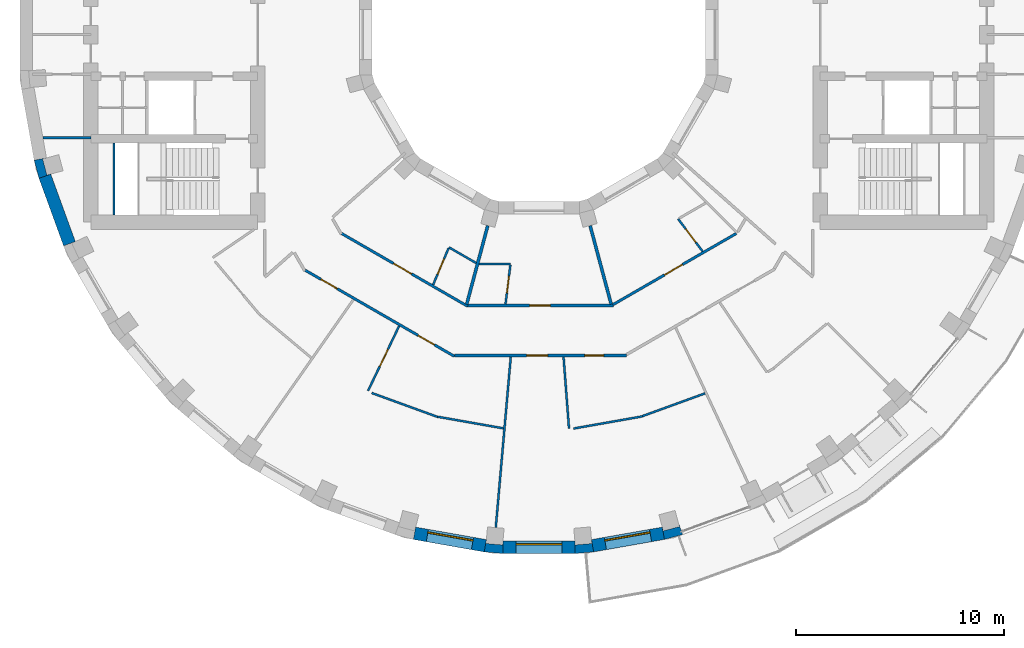
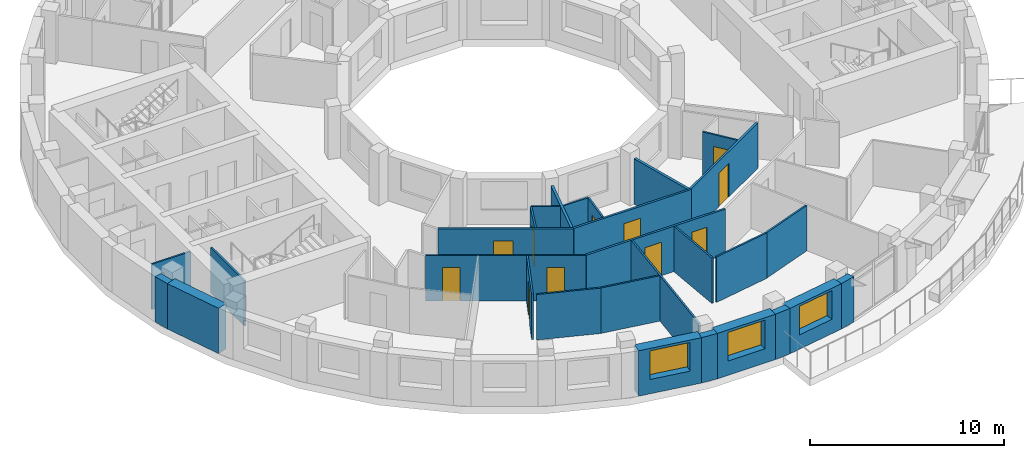
# One storey, part 6 of 15: 29 walls, 11 doors, 3 windows, 14 openings.
"""IFC4 building model written with IfcOpenShell, lengths in metres."""

from ifc_helpers import new_model, si_unit, direction, frame, frame_2d, origin, place, context, subcontext, project, spatial, polyline, rectangle, outline, extrude, material, layer, layer_set, type_object, element, fill, save


model = new_model("IFC4")

# Units and contexts
model_context = context("Model", 3, precision=1e-05, world=origin(), true_north=direction((0.0, 1.0)))
body_context = subcontext(model_context, "Body", "Model", "MODEL_VIEW")
ifc_project = project(units=[si_unit("LENGTHUNIT", "METRE"), si_unit("AREAUNIT", "SQUARE_METRE"), si_unit("VOLUMEUNIT", "CUBIC_METRE"), si_unit("PLANEANGLEUNIT", "RADIAN"), si_unit("MASSUNIT", "GRAM", prefix="KILO")], contexts=[model_context])

# Site, building, storey
site_placement = place(None, origin())
site = spatial("IfcSite", under=ifc_project, at=site_placement, CompositionType="ELEMENT")
building_placement = place(site_placement, origin())
building = spatial("IfcBuilding", under=site, at=building_placement, Name="Saqina Gate Tower", CompositionType="ELEMENT")
storey_placement = place(building_placement, frame((0.0, 0.0, 160.800048828125)))
storey = spatial("IfcBuildingStorey", under=building, at=storey_placement, Name="L45", CompositionType="ELEMENT", Elevation=160.800048828125)

# Walls
ifc_material_1 = material(Name="Brick masonry (buff)", Category="masonry")
wall_type_1 = type_object("IfcWallType", Name="BRICK PIER COPING BUFF", PredefinedType="SOLIDWALL", material=ifc_material_1)
wall_1_placement = place(storey_placement, origin())
element("IfcWall", 1, at=wall_1_placement, inside=storey, type_object=wall_type_1, Name="Pier cap L45 column 20", PredefinedType="SOLIDWALL", context=body_context, shape_type="SweptSolid", body=[
    extrude(outline(polyline([(-24.22705078125, -6.0234375), (-23.992919921875, -6.897216796875), (-23.428955078125, -6.69189453125), (-23.610107421875, -6.740478515625), (-23.81689453125, -5.967529296875), (-23.635986328125, -5.919189453125), (-24.22705078125, -6.0234375)])), origin(), (0.0, 0.0, 1.0), 2.849853515625),
])
wall_2_placement = place(storey_placement, origin())
element("IfcWall", 2, at=wall_2_placement, inside=storey, type_object=wall_type_1, Name="Pier cap L45 column 27", PredefinedType="SOLIDWALL", context=body_context, shape_type="SweptSolid", body=[
    extrude(outline(polyline([(-2.6259765625, -24.825927734375), (-1.724853515625, -24.90478515625), (-1.724853515625, -24.304931640625), (-1.7412109375, -24.491455078125), (-2.5380859375, -24.421630859375), (-2.521728515625, -24.235107421875), (-2.6259765625, -24.825927734375)])), origin(), (0.0, 0.0, 1.0), 2.849853515625),
])
wall_3_placement = place(storey_placement, origin())
element("IfcWall", 3, at=wall_3_placement, inside=storey, type_object=wall_type_1, Name="Pier cap L45 column 28", PredefinedType="SOLIDWALL", context=body_context, shape_type="SweptSolid", body=[
    extrude(outline(polyline([(1.724853515625, -24.90478515625), (2.6259765625, -24.825927734375), (2.521728515625, -24.235107421875), (2.5380859375, -24.421630859375), (1.7412109375, -24.491455078125), (1.724853515625, -24.304931640625), (1.724853515625, -24.90478515625)])), origin(), (0.0, 0.0, 1.0), 2.849853515625),
])
wall_4_placement = place(storey_placement, origin())
element("IfcWall", 4, at=wall_4_placement, inside=storey, type_object=wall_type_1, Name="Pier cap L45 column 29", PredefinedType="SOLIDWALL", context=body_context, shape_type="SweptSolid", body=[
    extrude(outline(polyline([(6.0234375, -24.22705078125), (6.897216796875, -23.992919921875), (6.69189453125, -23.428955078125), (6.740478515625, -23.610107421875), (5.967529296875, -23.81689453125), (5.919189453125, -23.635986328125), (6.0234375, -24.22705078125)])), origin(), (0.0, 0.0, 1.0), 2.849853515625),
])
ifc_material_2 = material(Name="Gypsum board on steel studs", Category="steel")
ifc_layer_1 = layer(ifc_material_2, 0.10009765625)
ifc_layer_set_1 = layer_set([ifc_layer_1], Name="CORE PARTITION")
wall_type_2 = type_object("IfcWallType", Name="CORE PARTITION", PredefinedType="PARTITIONING", material=ifc_layer_set_1)
wall_5_placement = place(storey_placement, frame((-21.5, -4.949951171875, 0.0), z_axis=(0.0, 0.0, 1.0), x_axis=(-1.0, 0.0, 0.0)))
element("IfcWall", 5, at=wall_5_placement, inside=storey, type_object=wall_type_2, Name="L45-CP-W03", PredefinedType="PARTITIONING", context=body_context, shape_type="SweptSolid", body=[
    extrude(rectangle(XDim=2.306884765625, YDim=0.10009765625, at=frame_2d((1.1533203125, 0.0))), origin(), (0.0, 0.0, 1.0), 2.849853515625),
])

# Wall, opening, window
ifc_material_3 = material(Name="Brick masonry (buff)", Category="masonry")
ifc_layer_2 = layer(ifc_material_3, 0.60009765625)
ifc_layer_set_2 = layer_set([ifc_layer_2], Name="FW-BRICK-BUFF")
wall_type_3 = type_object("IfcWallType", Name="FW-BRICK-BUFF", PredefinedType="SOLIDWALL", material=ifc_layer_set_2)
wall_6_placement = place(storey_placement, frame((-5.97119140625, -23.931640625, 0.0), z_axis=(0.0, 0.0, 1.0), x_axis=(0.984814892183, -0.173607684551, 0.0)))
wall_6 = element("IfcWall", 6, at=wall_6_placement, inside=storey, type_object=wall_type_3, Name="Facade wall L45 facet 26", PredefinedType="SOLIDWALL", context=body_context, shape_type="SweptSolid", body=[
    extrude(rectangle(XDim=3.44970703125, YDim=0.60009765625, at=frame_2d((1.724853515625, 0.0))), origin(), (0.0, 0.0, 1.0), 2.849853515625),
])
opening_1_placement = place(wall_6_placement, frame((0.625, 0.0, 0.89990234375)))
opening_1 = element("IfcOpeningElement", 7, at=opening_1_placement, cuts=wall_6, Name="Opening G13-W19", PredefinedType="OPENING", context=body_context, shape_type="SweptSolid", body=[
    extrude(rectangle(XDim=2.199951171875, YDim=1.800048828125, at=frame_2d((1.10009765625, 0.89990234375))), frame((0.0, 0.31201171875, 0.0), z_axis=(0.0, -1.0, 0.0), x_axis=(1.0, 0.0, 0.0)), (0.0, 0.0, 1.0), 0.6240234375),
])
ifc_material_4 = material(Name="Aluminium glazing", Category="aluminium")
window_type = type_object("IfcWindowType", Name="WN-C", PartitioningType="SINGLE_PANEL", PredefinedType="WINDOW", material=ifc_material_4)
window_1_placement = place(opening_1_placement, origin())
window_1 = element("IfcWindow", 8, at=window_1_placement, inside=storey, type_object=window_type, Name="Window L45 facet 26", OverallHeight=1.800048828125, OverallWidth=2.199951171875, PartitioningType="SINGLE_PANEL", PredefinedType="WINDOW", context=body_context, shape_type="SweptSolid", body=[
    extrude(rectangle(XDim=2.199951171875, YDim=1.800048828125, at=frame_2d((1.10009765625, 0.89990234375))), frame((0.0, 0.179931640625, 0.0), z_axis=(0.0, -1.0, 0.0), x_axis=(1.0, 0.0, 0.0)), (0.0, 0.0, 1.0), 0.06005859375),
])
fill(opening_1, window_1)

wall_7_placement = place(storey_placement, frame((-1.724853515625, -24.60498046875, 0.0), z_axis=(0.0, 0.0, 1.0), x_axis=(1.0, 0.0, 0.0)))
wall_7 = element("IfcWall", 9, at=wall_7_placement, inside=storey, type_object=wall_type_3, Name="Facade wall L45 facet 27", PredefinedType="SOLIDWALL", context=body_context, shape_type="SweptSolid", body=[
    extrude(rectangle(XDim=3.44970703125, YDim=0.60009765625, at=frame_2d((1.724853515625, 0.0))), origin(), (0.0, 0.0, 1.0), 2.849853515625),
])
opening_2_placement = place(wall_7_placement, frame((0.625, 0.0, 0.89990234375)))
opening_2 = element("IfcOpeningElement", 10, at=opening_2_placement, cuts=wall_7, Name="Opening G13-W20", PredefinedType="OPENING", context=body_context, shape_type="SweptSolid", body=[
    extrude(rectangle(XDim=2.199951171875, YDim=1.800048828125, at=frame_2d((1.10009765625, 0.89990234375))), frame((0.0, 0.31201171875, 0.0), z_axis=(0.0, -1.0, 0.0), x_axis=(1.0, 0.0, 0.0)), (0.0, 0.0, 1.0), 0.6240234375),
])
window_2_placement = place(opening_2_placement, origin())
window_2 = element("IfcWindow", 11, at=window_2_placement, inside=storey, type_object=window_type, Name="Window L45 facet 27", OverallHeight=1.800048828125, OverallWidth=2.199951171875, PartitioningType="SINGLE_PANEL", PredefinedType="WINDOW", context=body_context, shape_type="SweptSolid", body=[
    extrude(rectangle(XDim=2.199951171875, YDim=1.800048828125, at=frame_2d((1.10009765625, 0.89990234375))), frame((0.0, 0.179931640625, 0.0), z_axis=(0.0, -1.0, 0.0), x_axis=(1.0, 0.0, 0.0)), (0.0, 0.0, 1.0), 0.06005859375),
])
fill(opening_2, window_2)

wall_8_placement = place(storey_placement, frame((2.573974609375, -24.530517578125, 0.0), z_axis=(0.0, 0.0, 1.0), x_axis=(0.984814892183, 0.173607684551, 0.0)))
wall_8 = element("IfcWall", 12, at=wall_8_placement, inside=storey, type_object=wall_type_3, Name="Facade wall L45 facet 28", PredefinedType="SOLIDWALL", context=body_context, shape_type="SweptSolid", body=[
    extrude(rectangle(XDim=3.44970703125, YDim=0.60009765625, at=frame_2d((1.724853515625, 0.0))), origin(), (0.0, 0.0, 1.0), 2.849853515625),
])
opening_3_placement = place(wall_8_placement, frame((0.625, 0.0, 0.89990234375)))
opening_3 = element("IfcOpeningElement", 13, at=opening_3_placement, cuts=wall_8, Name="Opening G13-W21", PredefinedType="OPENING", context=body_context, shape_type="SweptSolid", body=[
    extrude(rectangle(XDim=2.199951171875, YDim=1.800048828125, at=frame_2d((1.10009765625, 0.89990234375))), frame((0.0, 0.31201171875, 0.0), z_axis=(0.0, -1.0, 0.0), x_axis=(1.0, 0.0, 0.0)), (0.0, 0.0, 1.0), 0.6240234375),
])
window_3_placement = place(opening_3_placement, origin())
window_3 = element("IfcWindow", 14, at=window_3_placement, inside=storey, type_object=window_type, Name="Window L45 facet 28", OverallHeight=1.800048828125, OverallWidth=2.199951171875, PartitioningType="SINGLE_PANEL", PredefinedType="WINDOW", context=body_context, shape_type="SweptSolid", body=[
    extrude(rectangle(XDim=2.199951171875, YDim=1.800048828125, at=frame_2d((1.10009765625, 0.89990234375))), frame((0.0, 0.179931640625, 0.0), z_axis=(0.0, -1.0, 0.0), x_axis=(1.0, 0.0, 0.0)), (0.0, 0.0, 1.0), 0.06005859375),
])
fill(opening_3, window_3)

# Walls
ifc_material_5 = material(Name="Glazed ceramic tile", Category="ceramic")
ifc_layer_3 = layer(ifc_material_5, 0.60009765625)
ifc_layer_set_3 = layer_set([ifc_layer_3], Name="FW-TILE")
wall_type_4 = type_object("IfcWallType", Name="FW-TILE", PredefinedType="SOLIDWALL", material=ifc_layer_set_3)
wall_9_placement = place(storey_placement, frame((-23.7109375, -6.79443359375, 0.0), z_axis=(0.0, 0.0, 1.0), x_axis=(0.342032843455, -0.93968799822, 0.0)))
element("IfcWall", 15, at=wall_9_placement, inside=storey, type_object=wall_type_4, Name="Facade wall L45 facet 20", PredefinedType="SOLIDWALL", context=body_context, shape_type="SweptSolid", body=[
    extrude(rectangle(XDim=3.44970703125, YDim=0.60009765625, at=frame_2d((1.724853515625, 0.0))), origin(), (0.0, 0.0, 1.0), 2.849853515625),
])
ifc_material_6 = material(Name="Gypsum board on steel studs, 100 mm", Category="steel")
ifc_layer_4 = layer(ifc_material_6, 0.10009765625)
ifc_layer_set_4 = layer_set([ifc_layer_4], Name="PARTITION 100")
wall_type_5 = type_object("IfcWallType", Name="PARTITION 100", PredefinedType="PARTITIONING", material=ifc_layer_set_4)
wall_10_placement = place(storey_placement, frame((1.1806640625, -15.46240234375, 0.0), z_axis=(0.0, 0.0, 1.0), x_axis=(0.07601515228, -0.997106662611, 0.0)))
element("IfcWall", 16, at=wall_10_placement, inside=storey, type_object=wall_type_5, Name="PARTITION PW3-02", PredefinedType="PARTITIONING", context=body_context, shape_type="SweptSolid", body=[
    extrude(rectangle(XDim=3.45263671875, YDim=0.10009765625, at=frame_2d((1.726318359375, 0.0))), origin(), (0.0, 0.0, 1.0), 2.849853515625),
])

# Wall, opening, door
wall_11_placement = place(storey_placement, frame((6.680908203125, -8.843994140625, 0.0), z_axis=(0.0, 0.0, 1.0), x_axis=(0.602656270697, -0.798000889341, 0.0)))
wall_11 = element("IfcWall", 17, at=wall_11_placement, inside=storey, type_object=wall_type_5, Name="PARTITION PW3-14", PredefinedType="PARTITIONING", context=body_context, shape_type="SweptSolid", body=[
    extrude(rectangle(XDim=1.953369140625, YDim=0.10009765625, at=frame_2d((0.9765625, 0.0))), origin(), (0.0, 0.0, 1.0), 2.849853515625),
])
opening_4_placement = place(wall_11_placement, frame((0.608154296875, 0.0, 0.0)))
opening_4 = element("IfcOpeningElement", 18, at=opening_4_placement, cuts=wall_11, Name="Opening G13-D39", PredefinedType="OPENING", context=body_context, shape_type="SweptSolid", body=[
    extrude(rectangle(XDim=0.800048828125, YDim=2.10009765625, at=frame_2d((0.39990234375, 1.050048828125))), frame((0.0, 0.06201171875, 0.0), z_axis=(0.0, -1.0, 0.0), x_axis=(1.0, 0.0, 0.0)), (0.0, 0.0, 1.0), 0.1240234375),
])
ifc_material_7 = material(Name="Timber door leaf, 800 mm", Category="wood")
door_type_1 = type_object("IfcDoorType", Name="DOOR 800 TIMBER", OperationType="SINGLE_SWING_LEFT", PredefinedType="DOOR", material=ifc_material_7)
door_1_placement = place(opening_4_placement, frame((0.800048828125, 0.0, 0.0), z_axis=(0.0, 0.0, 1.0), x_axis=(-1.0, 0.0, 0.0)))
door_1 = element("IfcDoor", 19, at=door_1_placement, inside=storey, type_object=door_type_1, Name="DOOR G13-D39", OperationType="SINGLE_SWING_LEFT", OverallHeight=2.10009765625, OverallWidth=0.800048828125, PredefinedType="DOOR", context=body_context, shape_type="SweptSolid", body=[
    extrude(rectangle(XDim=0.800048828125, YDim=2.10009765625, at=frame_2d((0.39990234375, 1.050048828125))), frame((0.0, 0.02490234375, 0.0), z_axis=(0.0, -1.0, 0.0), x_axis=(1.0, 0.0, 0.0)), (0.0, 0.0, 1.0), 0.050048828125),
])
fill(opening_4, door_1)

# Walls
wall_12_placement = place(storey_placement, frame((-4.319091796875, -10.2080078125, 0.0), z_axis=(0.0, 0.0, 1.0), x_axis=(0.866104780601, -0.499862490111, 0.0)))
element("IfcWall", 20, at=wall_12_placement, inside=storey, type_object=wall_type_5, Name="PARTITION PW3-23", PredefinedType="PARTITIONING", context=body_context, shape_type="SweptSolid", body=[
    extrude(rectangle(XDim=1.50927734375, YDim=0.10009765625, at=frame_2d((0.754638671875, 0.0))), origin(), (0.0, 0.0, 1.0), 2.849853515625),
])
wall_13_placement = place(storey_placement, frame((-8.02001953125, -17.198974609375, 0.0), z_axis=(0.0, 0.0, 1.0), x_axis=(0.939708490433, -0.341976538681, 0.0)))
element("IfcWall", 21, at=wall_13_placement, inside=storey, type_object=wall_type_5, Name="PARTITION PW3-27", PredefinedType="PARTITIONING", context=body_context, shape_type="SweptSolid", body=[
    extrude(rectangle(XDim=3.358154296875, YDim=0.10009765625, at=frame_2d((1.67919921875, 0.0))), origin(), (0.0, 0.0, 1.0), 2.849853515625),
])
wall_14_placement = place(storey_placement, frame((-4.86279296875, -18.338623046875, 0.0), z_axis=(0.0, 0.0, 1.0), x_axis=(0.984782026727, -0.173794015534, 0.0)))
element("IfcWall", 22, at=wall_14_placement, inside=storey, type_object=wall_type_5, Name="PARTITION PW3-30", PredefinedType="PARTITIONING", context=body_context, shape_type="SweptSolid", body=[
    extrude(rectangle(XDim=3.20849609375, YDim=0.10009765625, at=frame_2d((1.604248046875, 0.0))), origin(), (0.0, 0.0, 1.0), 2.849853515625),
])
wall_15_placement = place(storey_placement, frame((-2.8720703125, -11.0, 0.0), z_axis=(0.0, 0.0, 1.0), x_axis=(1.0, 0.0, 0.0)))
element("IfcWall", 23, at=wall_15_placement, inside=storey, type_object=wall_type_5, Name="PARTITION PW3-33", PredefinedType="PARTITIONING", context=body_context, shape_type="SweptSolid", body=[
    extrude(rectangle(XDim=1.508056640625, YDim=0.10009765625, at=frame_2d((0.75390625, 0.0))), origin(), (0.0, 0.0, 1.0), 2.849853515625),
])
wall_16_placement = place(storey_placement, frame((1.654052734375, -18.905029296875, 0.0), z_axis=(0.0, 0.0, 1.0), x_axis=(0.984783558818, 0.173785333909, 0.0)))
element("IfcWall", 24, at=wall_16_placement, inside=storey, type_object=wall_type_5, Name="PARTITION PW3-38", PredefinedType="PARTITIONING", context=body_context, shape_type="SweptSolid", body=[
    extrude(rectangle(XDim=3.35888671875, YDim=0.10009765625, at=frame_2d((1.679443359375, 0.0))), origin(), (0.0, 0.0, 1.0), 2.849853515625),
])
wall_17_placement = place(storey_placement, frame((4.958984375, -18.31298828125, 0.0), z_axis=(0.0, 0.0, 1.0), x_axis=(0.939697820391, 0.34200585719, 0.0)))
element("IfcWall", 25, at=wall_17_placement, inside=storey, type_object=wall_type_5, Name="PARTITION PW3-41", PredefinedType="PARTITIONING", context=body_context, shape_type="SweptSolid", body=[
    extrude(rectangle(XDim=3.207275390625, YDim=0.10009765625, at=frame_2d((1.603515625, 0.0))), origin(), (0.0, 0.0, 1.0), 2.849853515625),
])

# Wall, opening, door
wall_18_placement = place(storey_placement, frame((-8.201904296875, -17.093994140625, 0.0), z_axis=(0.0, 0.0, 1.0), x_axis=(0.432471241397, 0.901647727976, 0.0)))
wall_18 = element("IfcWall", 26, at=wall_18_placement, inside=storey, type_object=wall_type_5, Name="PARTITION PW3-56", PredefinedType="PARTITIONING", context=body_context, shape_type="SweptSolid", body=[
    extrude(rectangle(XDim=3.4521484375, YDim=0.10009765625, at=frame_2d((1.72607421875, 0.0))), origin(), (0.0, 0.0, 1.0), 2.849853515625),
])
opening_5_placement = place(wall_18_placement, frame((1.307373046875, 0.0, 0.0)))
opening_5 = element("IfcOpeningElement", 27, at=opening_5_placement, cuts=wall_18, Name="Opening G13-D30", PredefinedType="OPENING", context=body_context, shape_type="SweptSolid", body=[
    extrude(rectangle(XDim=0.89990234375, YDim=2.10009765625, at=frame_2d((0.449951171875, 1.050048828125))), frame((0.0, 0.06201171875, 0.0), z_axis=(0.0, -1.0, 0.0), x_axis=(1.0, 0.0, 0.0)), (0.0, 0.0, 1.0), 0.1240234375),
])
ifc_material_8 = material(Name="Timber door leaf, 900 mm", Category="wood")
door_type_2 = type_object("IfcDoorType", Name="DOOR 900 TIMBER", OperationType="SINGLE_SWING_LEFT", PredefinedType="DOOR", material=ifc_material_8)
door_2_placement = place(opening_5_placement, origin())
door_2 = element("IfcDoor", 28, at=door_2_placement, inside=storey, type_object=door_type_2, Name="DOOR G13-D30", OperationType="SINGLE_SWING_RIGHT", OverallHeight=2.10009765625, OverallWidth=0.89990234375, PredefinedType="DOOR", context=body_context, shape_type="SweptSolid", body=[
    extrude(rectangle(XDim=0.89990234375, YDim=2.10009765625, at=frame_2d((0.449951171875, 1.050048828125))), frame((0.0, 0.02490234375, 0.0), z_axis=(0.0, -1.0, 0.0), x_axis=(1.0, 0.0, 0.0)), (0.0, 0.0, 1.0), 0.050048828125),
])
fill(opening_5, door_2)

wall_19_placement = place(storey_placement, frame((-5.07958984375, -12.00634765625, 0.0), z_axis=(0.0, 0.0, 1.0), x_axis=(0.389593941569, 0.920986732094, 0.0)))
wall_19 = element("IfcWall", 29, at=wall_19_placement, inside=storey, type_object=wall_type_5, Name="PARTITION PW3-58", PredefinedType="PARTITIONING", context=body_context, shape_type="SweptSolid", body=[
    extrude(rectangle(XDim=1.902587890625, YDim=0.10009765625, at=frame_2d((0.951171875, 0.0))), origin(), (0.0, 0.0, 1.0), 2.849853515625),
])
opening_6_placement = place(wall_19_placement, frame((0.545166015625, 0.0, 0.0)))
opening_6 = element("IfcOpeningElement", 30, at=opening_6_placement, cuts=wall_19, Name="Opening G13-D31", PredefinedType="OPENING", context=body_context, shape_type="SweptSolid", body=[
    extrude(rectangle(XDim=0.800048828125, YDim=2.10009765625, at=frame_2d((0.39990234375, 1.050048828125))), frame((0.0, 0.06201171875, 0.0), z_axis=(0.0, -1.0, 0.0), x_axis=(1.0, 0.0, 0.0)), (0.0, 0.0, 1.0), 0.1240234375),
])
door_3_placement = place(opening_6_placement, origin())
door_3 = element("IfcDoor", 31, at=door_3_placement, inside=storey, type_object=door_type_1, Name="DOOR G13-D31", OperationType="SINGLE_SWING_LEFT", OverallHeight=2.10009765625, OverallWidth=0.800048828125, PredefinedType="DOOR", context=body_context, shape_type="SweptSolid", body=[
    extrude(rectangle(XDim=0.800048828125, YDim=2.10009765625, at=frame_2d((0.39990234375, 1.050048828125))), frame((0.0, 0.02490234375, 0.0), z_axis=(0.0, -1.0, 0.0), x_axis=(1.0, 0.0, 0.0)), (0.0, 0.0, 1.0), 0.050048828125),
])
fill(opening_6, door_3)

wall_20_placement = place(storey_placement, frame((-1.604248046875, -12.93798828125, 0.0), z_axis=(0.0, 0.0, 1.0), x_axis=(0.123039852559, 0.992401730491, 0.0)))
wall_20 = element("IfcWall", 32, at=wall_20_placement, inside=storey, type_object=wall_type_5, Name="PARTITION PW3-62", PredefinedType="PARTITIONING", context=body_context, shape_type="SweptSolid", body=[
    extrude(rectangle(XDim=1.90283203125, YDim=0.10009765625, at=frame_2d((0.951416015625, 0.0))), origin(), (0.0, 0.0, 1.0), 2.849853515625),
])
opening_7_placement = place(wall_20_placement, frame((0.545166015625, 0.0, 0.0)))
opening_7 = element("IfcOpeningElement", 33, at=opening_7_placement, cuts=wall_20, Name="Opening G13-D33", PredefinedType="OPENING", context=body_context, shape_type="SweptSolid", body=[
    extrude(rectangle(XDim=0.800048828125, YDim=2.10009765625, at=frame_2d((0.39990234375, 1.050048828125))), frame((0.0, 0.06201171875, 0.0), z_axis=(0.0, -1.0, 0.0), x_axis=(1.0, 0.0, 0.0)), (0.0, 0.0, 1.0), 0.1240234375),
])
door_4_placement = place(opening_7_placement, frame((0.800048828125, 0.0, 0.0), z_axis=(0.0, 0.0, 1.0), x_axis=(-1.0, 0.0, 0.0)))
door_4 = element("IfcDoor", 34, at=door_4_placement, inside=storey, type_object=door_type_1, Name="DOOR G13-D33", OperationType="SINGLE_SWING_RIGHT", OverallHeight=2.10009765625, OverallWidth=0.800048828125, PredefinedType="DOOR", context=body_context, shape_type="SweptSolid", body=[
    extrude(rectangle(XDim=0.800048828125, YDim=2.10009765625, at=frame_2d((0.39990234375, 1.050048828125))), frame((0.0, 0.02490234375, 0.0), z_axis=(0.0, -1.0, 0.0), x_axis=(1.0, 0.0, 0.0)), (0.0, 0.0, 1.0), 0.050048828125),
])
fill(opening_7, door_4)

# Wall
wall_21_placement = place(storey_placement, frame((-2.071044921875, -23.6494140625, 0.0), z_axis=(0.0, 0.0, 1.0), x_axis=(0.087543554658, 0.996160692879, 0.0)))
element("IfcWall", 35, at=wall_21_placement, inside=storey, type_object=wall_type_5, Name="PARTITION PW3-63", PredefinedType="PARTITIONING", context=body_context, shape_type="SweptSolid", body=[
    extrude(rectangle(XDim=8.218505859375, YDim=0.10009765625, at=frame_2d((4.109375, 0.0))), origin(), (0.0, 0.0, 1.0), 2.849853515625),
])

# Wall, openings, doors
ifc_material_9 = material(Name="Gypsum board on steel studs, 125 mm, fire rated", Category="steel")
ifc_layer_5 = layer(ifc_material_9, 0.125)
ifc_layer_set_5 = layer_set([ifc_layer_5], Name="PARTITION EI 30 125")
wall_type_6 = type_object("IfcWallType", Name="PARTITION EI 30 125", PredefinedType="PARTITIONING", material=ifc_layer_set_5)
wall_22_placement = place(storey_placement, frame((-11.219970703125, -11.30517578125, 0.0), z_axis=(0.0, 0.0, 1.0), x_axis=(0.866074891173, -0.499914275531, 0.0)))
wall_22 = element("IfcWall", 36, at=wall_22_placement, inside=storey, type_object=wall_type_6, Name="PARTITION PW1-10", PredefinedType="PARTITIONING", context=body_context, shape_type="SweptSolid", body=[
    extrude(rectangle(XDim=8.26318359375, YDim=0.125, at=frame_2d((4.131591796875, 0.0))), origin(), (0.0, 0.0, 1.0), 2.849853515625),
])
opening_8_placement = place(wall_22_placement, frame((0.876953125, 0.0, 0.0)))
opening_8 = element("IfcOpeningElement", 37, at=opening_8_placement, cuts=wall_22, Name="Opening G13-D28", PredefinedType="OPENING", context=body_context, shape_type="SweptSolid", body=[
    extrude(rectangle(XDim=0.89990234375, YDim=2.10009765625, at=frame_2d((0.449951171875, 1.050048828125))), frame((0.0, 0.074462890625, 0.0), z_axis=(0.0, -1.0, 0.0), x_axis=(1.0, 0.0, 0.0)), (0.0, 0.0, 1.0), 0.14892578125),
])
opening_9_placement = place(wall_22_placement, frame((6.265380859375, 0.0, 0.0)))
opening_9 = element("IfcOpeningElement", 38, at=opening_9_placement, cuts=wall_22, Name="Opening G13-D32", PredefinedType="OPENING", context=body_context, shape_type="SweptSolid", body=[
    extrude(rectangle(XDim=0.89990234375, YDim=2.10009765625, at=frame_2d((0.449951171875, 1.050048828125))), frame((0.0, 0.074462890625, 0.0), z_axis=(0.0, -1.0, 0.0), x_axis=(1.0, 0.0, 0.0)), (0.0, 0.0, 1.0), 0.14892578125),
])
ifc_material_10 = material(Name="Fire door leaf EI 30, 900 mm")
door_type_3 = type_object("IfcDoorType", Name="DOOR 900 EI 30", OperationType="SINGLE_SWING_LEFT", PredefinedType="DOOR", material=ifc_material_10)
door_5_placement = place(opening_8_placement, frame((0.89990234375, 0.0, 0.0), z_axis=(0.0, 0.0, 1.0), x_axis=(-1.0, 0.0, 0.0)))
door_5 = element("IfcDoor", 39, at=door_5_placement, inside=storey, type_object=door_type_3, Name="DOOR G13-D28", OperationType="SINGLE_SWING_RIGHT", OverallHeight=2.10009765625, OverallWidth=0.89990234375, PredefinedType="DOOR", context=body_context, shape_type="SweptSolid", body=[
    extrude(rectangle(XDim=0.89990234375, YDim=2.10009765625, at=frame_2d((0.449951171875, 1.050048828125))), frame((0.0, 0.02490234375, 0.0), z_axis=(0.0, -1.0, 0.0), x_axis=(1.0, 0.0, 0.0)), (0.0, 0.0, 1.0), 0.050048828125),
])
fill(opening_8, door_5)
door_6_placement = place(opening_9_placement, frame((0.89990234375, 0.0, 0.0), z_axis=(0.0, 0.0, 1.0), x_axis=(-1.0, 0.0, 0.0)))
door_6 = element("IfcDoor", 40, at=door_6_placement, inside=storey, type_object=door_type_3, Name="DOOR G13-D32", OperationType="SINGLE_SWING_LEFT", OverallHeight=2.10009765625, OverallWidth=0.89990234375, PredefinedType="DOOR", context=body_context, shape_type="SweptSolid", body=[
    extrude(rectangle(XDim=0.89990234375, YDim=2.10009765625, at=frame_2d((0.449951171875, 1.050048828125))), frame((0.0, 0.02490234375, 0.0), z_axis=(0.0, -1.0, 0.0), x_axis=(1.0, 0.0, 0.0)), (0.0, 0.0, 1.0), 0.050048828125),
])
fill(opening_9, door_6)

# Wall, opening, door
wall_23_placement = place(storey_placement, frame((-9.462890625, -9.54833984375, 0.0), z_axis=(0.0, 0.0, 1.0), x_axis=(0.866077207726, -0.499910262205, 0.0)))
wall_23 = element("IfcWall", 41, at=wall_23_placement, inside=storey, type_object=wall_type_6, Name="PARTITION PW1-11", PredefinedType="PARTITIONING", context=body_context, shape_type="SweptSolid", body=[
    extrude(rectangle(XDim=6.976806640625, YDim=0.125, at=frame_2d((3.48828125, 0.0))), origin(), (0.0, 0.0, 1.0), 2.849853515625),
])
opening_10_placement = place(wall_23_placement, frame((2.8701171875, 0.0, 0.0)))
opening_10 = element("IfcOpeningElement", 42, at=opening_10_placement, cuts=wall_23, Name="Opening G13-D29", PredefinedType="OPENING", context=body_context, shape_type="SweptSolid", body=[
    extrude(rectangle(XDim=1.0, YDim=2.10009765625, at=frame_2d((0.5, 1.050048828125))), frame((0.0, 0.074462890625, 0.0), z_axis=(0.0, -1.0, 0.0), x_axis=(1.0, 0.0, 0.0)), (0.0, 0.0, 1.0), 0.14892578125),
])
ifc_material_11 = material(Name="Fire door leaf EI 30, 1000 mm")
door_type_4 = type_object("IfcDoorType", Name="DOOR 1000 EI 30", OperationType="SINGLE_SWING_LEFT", PredefinedType="DOOR", material=ifc_material_11)
door_7_placement = place(opening_10_placement, origin())
door_7 = element("IfcDoor", 43, at=door_7_placement, inside=storey, type_object=door_type_4, Name="DOOR G13-D29", OperationType="SINGLE_SWING_LEFT", OverallHeight=2.10009765625, OverallWidth=1.0, PredefinedType="DOOR", context=body_context, shape_type="SweptSolid", body=[
    extrude(rectangle(XDim=1.0, YDim=2.10009765625, at=frame_2d((0.5, 1.050048828125))), frame((0.0, 0.02490234375, 0.0), z_axis=(0.0, -1.0, 0.0), x_axis=(1.0, 0.0, 0.0)), (0.0, 0.0, 1.0), 0.050048828125),
])
fill(opening_10, door_7)

# Wall, openings, doors
wall_24_placement = place(storey_placement, frame((-4.0634765625, -15.39990234375, 0.0), z_axis=(0.0, 0.0, 1.0), x_axis=(1.0, 0.0, 0.0)))
wall_24 = element("IfcWall", 44, at=wall_24_placement, inside=storey, type_object=wall_type_6, Name="PARTITION PW1-17", PredefinedType="PARTITIONING", context=body_context, shape_type="SweptSolid", body=[
    extrude(rectangle(XDim=8.26171875, YDim=0.125, at=frame_2d((4.130859375, 0.0))), origin(), (0.0, 0.0, 1.0), 2.849853515625),
])
opening_11_placement = place(wall_24_placement, frame((3.47802734375, 0.0, 0.0)))
opening_11 = element("IfcOpeningElement", 45, at=opening_11_placement, cuts=wall_24, Name="Opening G13-D34", PredefinedType="OPENING", context=body_context, shape_type="SweptSolid", body=[
    extrude(rectangle(XDim=1.0, YDim=2.10009765625, at=frame_2d((0.5, 1.050048828125))), frame((0.0, 0.074462890625, 0.0), z_axis=(0.0, -1.0, 0.0), x_axis=(1.0, 0.0, 0.0)), (0.0, 0.0, 1.0), 0.14892578125),
])
opening_12_placement = place(wall_24_placement, frame((6.264404296875, 0.0, 0.0)))
opening_12 = element("IfcOpeningElement", 46, at=opening_12_placement, cuts=wall_24, Name="Opening G13-D36", PredefinedType="OPENING", context=body_context, shape_type="SweptSolid", body=[
    extrude(rectangle(XDim=0.89990234375, YDim=2.10009765625, at=frame_2d((0.449951171875, 1.050048828125))), frame((0.0, 0.074462890625, 0.0), z_axis=(0.0, -1.0, 0.0), x_axis=(1.0, 0.0, 0.0)), (0.0, 0.0, 1.0), 0.14892578125),
])
door_8_placement = place(opening_11_placement, origin())
door_8 = element("IfcDoor", 47, at=door_8_placement, inside=storey, type_object=door_type_4, Name="DOOR G13-D34", OperationType="SINGLE_SWING_LEFT", OverallHeight=2.10009765625, OverallWidth=1.0, PredefinedType="DOOR", context=body_context, shape_type="SweptSolid", body=[
    extrude(rectangle(XDim=1.0, YDim=2.10009765625, at=frame_2d((0.5, 1.050048828125))), frame((0.0, 0.02490234375, 0.0), z_axis=(0.0, -1.0, 0.0), x_axis=(1.0, 0.0, 0.0)), (0.0, 0.0, 1.0), 0.050048828125),
])
fill(opening_11, door_8)
door_9_placement = place(opening_12_placement, frame((0.89990234375, 0.0, 0.0), z_axis=(0.0, 0.0, 1.0), x_axis=(-1.0, 0.0, 0.0)))
door_9 = element("IfcDoor", 48, at=door_9_placement, inside=storey, type_object=door_type_3, Name="DOOR G13-D36", OperationType="SINGLE_SWING_LEFT", OverallHeight=2.10009765625, OverallWidth=0.89990234375, PredefinedType="DOOR", context=body_context, shape_type="SweptSolid", body=[
    extrude(rectangle(XDim=0.89990234375, YDim=2.10009765625, at=frame_2d((0.449951171875, 1.050048828125))), frame((0.0, 0.02490234375, 0.0), z_axis=(0.0, -1.0, 0.0), x_axis=(1.0, 0.0, 0.0)), (0.0, 0.0, 1.0), 0.050048828125),
])
fill(opening_12, door_9)

# Wall, opening, door
wall_25_placement = place(storey_placement, frame((-3.42041015625, -13.0, 0.0), z_axis=(0.0, 0.0, 1.0), x_axis=(1.0, 0.0, 0.0)))
wall_25 = element("IfcWall", 49, at=wall_25_placement, inside=storey, type_object=wall_type_6, Name="PARTITION PW1-18", PredefinedType="PARTITIONING", context=body_context, shape_type="SweptSolid", body=[
    extrude(rectangle(XDim=6.989990234375, YDim=0.125, at=frame_2d((3.4951171875, 0.0))), origin(), (0.0, 0.0, 1.0), 2.849853515625),
])
opening_13_placement = place(wall_25_placement, frame((2.970947265625, 0.0, 0.0)))
opening_13 = element("IfcOpeningElement", 50, at=opening_13_placement, cuts=wall_25, Name="Opening G13-D35", PredefinedType="OPENING", context=body_context, shape_type="SweptSolid", body=[
    extrude(rectangle(XDim=1.0, YDim=2.10009765625, at=frame_2d((0.5, 1.050048828125))), frame((0.0, 0.074462890625, 0.0), z_axis=(0.0, -1.0, 0.0), x_axis=(1.0, 0.0, 0.0)), (0.0, 0.0, 1.0), 0.14892578125),
])
door_10_placement = place(opening_13_placement, origin())
door_10 = element("IfcDoor", 51, at=door_10_placement, inside=storey, type_object=door_type_4, Name="DOOR G13-D35", OperationType="SINGLE_SWING_LEFT", OverallHeight=2.10009765625, OverallWidth=1.0, PredefinedType="DOOR", context=body_context, shape_type="SweptSolid", body=[
    extrude(rectangle(XDim=1.0, YDim=2.10009765625, at=frame_2d((0.5, 1.050048828125))), frame((0.0, 0.02490234375, 0.0), z_axis=(0.0, -1.0, 0.0), x_axis=(1.0, 0.0, 0.0)), (0.0, 0.0, 1.0), 0.050048828125),
])
fill(opening_13, door_10)

wall_26_placement = place(storey_placement, frame((3.5478515625, -12.96240234375, 0.0), z_axis=(0.0, 0.0, 1.0), x_axis=(0.866078638394, 0.499907783615, 0.0)))
wall_26 = element("IfcWall", 52, at=wall_26_placement, inside=storey, type_object=wall_type_6, Name="PARTITION PW1-25", PredefinedType="PARTITIONING", context=body_context, shape_type="SweptSolid", body=[
    extrude(rectangle(XDim=6.842041015625, YDim=0.125, at=frame_2d((3.4208984375, 0.0))), origin(), (0.0, 0.0, 1.0), 2.849853515625),
])
opening_14_placement = place(wall_26_placement, frame((2.857666015625, 0.0, 0.0)))
opening_14 = element("IfcOpeningElement", 53, at=opening_14_placement, cuts=wall_26, Name="Opening G13-D38", PredefinedType="OPENING", context=body_context, shape_type="SweptSolid", body=[
    extrude(rectangle(XDim=1.0, YDim=2.10009765625, at=frame_2d((0.5, 1.050048828125))), frame((0.0, 0.074462890625, 0.0), z_axis=(0.0, -1.0, 0.0), x_axis=(1.0, 0.0, 0.0)), (0.0, 0.0, 1.0), 0.14892578125),
])
door_11_placement = place(opening_14_placement, origin())
door_11 = element("IfcDoor", 54, at=door_11_placement, inside=storey, type_object=door_type_4, Name="DOOR G13-D38", OperationType="SINGLE_SWING_LEFT", OverallHeight=2.10009765625, OverallWidth=1.0, PredefinedType="DOOR", context=body_context, shape_type="SweptSolid", body=[
    extrude(rectangle(XDim=1.0, YDim=2.10009765625, at=frame_2d((0.5, 1.050048828125))), frame((0.0, 0.02490234375, 0.0), z_axis=(0.0, -1.0, 0.0), x_axis=(1.0, 0.0, 0.0)), (0.0, 0.0, 1.0), 0.050048828125),
])
fill(opening_14, door_11)

# Walls
ifc_material_12 = material(Name="Gypsum board on steel studs, 150 mm, fire rated", Category="steel")
ifc_layer_6 = layer(ifc_material_12, 0.14990234375)
ifc_layer_set_6 = layer_set([ifc_layer_6], Name="PARTITION EI 60 150")
wall_type_7 = type_object("IfcWallType", Name="PARTITION EI 60 150", PredefinedType="PARTITIONING", material=ifc_layer_set_6)
wall_27_placement = place(storey_placement, frame((2.45703125, -9.168701171875, 0.0), z_axis=(0.0, 0.0, 1.0), x_axis=(0.258849662474, -0.965917621869, 0.0)))
element("IfcWall", 55, at=wall_27_placement, inside=storey, type_object=wall_type_7, Name="PARTITION PW2-02", PredefinedType="PARTITIONING", context=body_context, shape_type="SweptSolid", body=[
    extrude(rectangle(XDim=3.90380859375, YDim=0.14990234375, at=frame_2d((1.951904296875, 0.0))), origin(), (0.0, 0.0, 1.0), 2.849853515625),
])
wall_28_placement = place(storey_placement, frame((-3.466552734375, -12.939697265625, 0.0), z_axis=(0.0, 0.0, 1.0), x_axis=(0.258732959093, 0.965948888854, 0.0)))
element("IfcWall", 56, at=wall_28_placement, inside=storey, type_object=wall_type_7, Name="PARTITION PW2-04", PredefinedType="PARTITIONING", context=body_context, shape_type="SweptSolid", body=[
    extrude(rectangle(XDim=3.903564453125, YDim=0.14990234375, at=frame_2d((1.95166015625, 0.0))), origin(), (0.0, 0.0, 1.0), 2.849853515625),
])
ifc_material_13 = material(Name="Autoclaved aerated concrete block", Category="concrete")
ifc_layer_7 = layer(ifc_material_13, 0.10009765625)
ifc_layer_set_7 = layer_set([ifc_layer_7], Name="STAIR ENCLOSURE WALL")
wall_type_8 = type_object("IfcWallType", Name="STAIR ENCLOSURE WALL", PredefinedType="PARTITIONING", material=ifc_layer_set_7)
wall_29_placement = place(storey_placement, frame((-20.389892578125, -8.64990234375, 0.0), z_axis=(0.0, 0.0, 1.0), x_axis=(0.0, 1.0, 0.0)))
element("IfcWall", 57, at=wall_29_placement, inside=storey, type_object=wall_type_8, Name="L45-CP-W17", PredefinedType="PARTITIONING", context=body_context, shape_type="SweptSolid", body=[
    extrude(rectangle(XDim=3.449951171875, YDim=0.10009765625, at=frame_2d((1.72509765625, 0.0))), origin(), (0.0, 0.0, 1.0), 2.849853515625),
])

save(model, "model.ifc")
